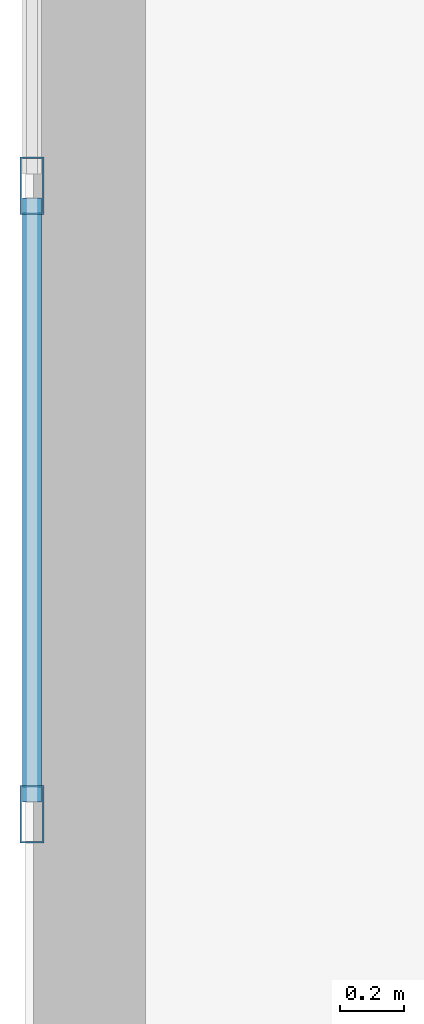
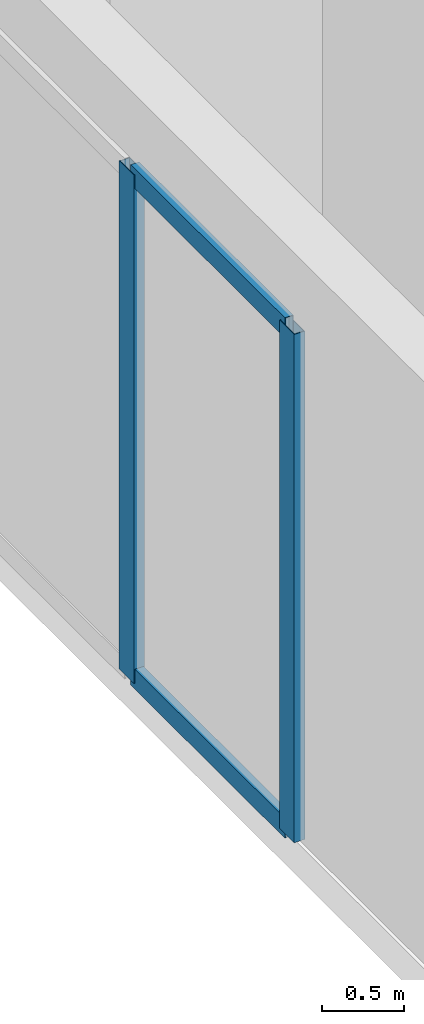
# One storey, part 4 of 14: 4 members, 1 element without a shape of its own.
"""IFC4 building model written with IfcOpenShell, lengths in metres."""

from ifc_helpers import new_model, si_unit, direction, frame, origin, origin_2d, place, context, subcontext, project, spatial, hollow_rectangle, extrude, material, material_profile, profile_set, type_object, element, aggregate, save


model = new_model("IFC4")

# Units and contexts
model_context = context("Model", 3, precision=1e-05, world=origin(), true_north=direction((0.0, 1.0)))
body_context = subcontext(model_context, "Body", "Model", "MODEL_VIEW")
ifc_project = project(units=[si_unit("LENGTHUNIT", "METRE"), si_unit("AREAUNIT", "SQUARE_METRE"), si_unit("VOLUMEUNIT", "CUBIC_METRE"), si_unit("PLANEANGLEUNIT", "RADIAN"), si_unit("MASSUNIT", "GRAM", prefix="KILO")], contexts=[model_context])

# Site, building, storey
site_placement = place(None, origin())
site = spatial("IfcSite", under=ifc_project, at=site_placement, CompositionType="ELEMENT")
building_placement = place(site_placement, origin())
building = spatial("IfcBuilding", under=site, at=building_placement, Name="Kuzgunbayir Cultural Tower", CompositionType="ELEMENT")
storey_placement = place(building_placement, frame((0.0, 0.0, 13.0)))
storey = spatial("IfcBuildingStorey", under=building, at=storey_placement, Name="L03", CompositionType="ELEMENT", Elevation=13.0)

# Curtain wall, members
ifc_material = material(Name="Anodised Aluminium Framing", Category="aluminium")
curtain_wall_type = type_object("IfcCurtainWallType", Name="CW01-POD-FOYER", PredefinedType="NOTDEFINED", material=ifc_material)
curtain_wall_placement = place(storey_placement, origin())
curtain_wall = element("IfcCurtainWall", 1, at=curtain_wall_placement, inside=storey, type_object=curtain_wall_type, Name="L03 Civic Foyer Curtain Wall North", PredefinedType="NOTDEFINED")
ifc_material_profile_1 = material_profile(ifc_material, hollow_rectangle(XDim=0.074951171875, YDim=0.179931640625, WallThickness=0.0048828125, at=origin_2d()), Name="RHS 180x75x5")
ifc_profile_set_1 = profile_set([ifc_material_profile_1], Name="Anodised Aluminium Framing")
member_type_1 = type_object("IfcMemberType", Name="MEM-CW-MULLION-180", PredefinedType="MULLION", material=ifc_profile_set_1)
member_1_placement = place(storey_placement, frame((3.6201171875, 24.03759765625, 0.0), z_axis=(0.0, 0.0, 1.0), x_axis=(-1.0, 0.0, 0.0)))
member_1 = element("IfcMember", 2, at=member_1_placement, type_object=member_type_1, Name="CW01 mullion 1", PredefinedType="MULLION", context=body_context, shape_type="SweptSolid", body=[
    extrude(hollow_rectangle(XDim=0.074951171875, YDim=0.179931640625, WallThickness=0.0048828125, at=origin_2d()), origin(), (0.0, 0.0, 1.0), 3.800048828125),
])
member_2_placement = place(storey_placement, frame((3.6201171875, 26.0, 0.0), z_axis=(0.0, 0.0, 1.0), x_axis=(-1.0, 0.0, 0.0)))
member_2 = element("IfcMember", 3, at=member_2_placement, type_object=member_type_1, Name="CW01 mullion 2", PredefinedType="MULLION", context=body_context, shape_type="SweptSolid", body=[
    extrude(hollow_rectangle(XDim=0.074951171875, YDim=0.179931640625, WallThickness=0.0048828125, at=origin_2d()), origin(), (0.0, 0.0, 1.0), 3.800048828125),
])
ifc_material_profile_2 = material_profile(ifc_material, hollow_rectangle(XDim=0.06005859375, YDim=0.14990234375, WallThickness=0.00390625, at=origin_2d()), Name="RHS 150x60x4")
ifc_profile_set_2 = profile_set([ifc_material_profile_2], Name="Anodised Aluminium Framing")
member_type_2 = type_object("IfcMemberType", Name="MEM-CW-TRANSOM-150", PredefinedType="USERDEFINED", material=ifc_profile_set_2)
member_3_placement = place(storey_placement, frame((3.6201171875, 24.074951171875, 0.030029296875), z_axis=(0.0, 1.0, 0.0), x_axis=(-1.0, 0.0, 0.0)))
member_3 = element("IfcMember", 4, at=member_3_placement, type_object=member_type_2, Name="CW01 transom 1.1", ObjectType="TRANSOM", PredefinedType="USERDEFINED", context=body_context, shape_type="SweptSolid", body=[
    extrude(hollow_rectangle(XDim=0.06005859375, YDim=0.14990234375, WallThickness=0.00390625, at=origin_2d()), origin(), (0.0, 0.0, 1.0), 1.887451171875),
])
member_4_placement = place(storey_placement, frame((3.6201171875, 24.074951171875, 3.77001953125), z_axis=(0.0, 1.0, 0.0), x_axis=(-1.0, 0.0, 0.0)))
member_4 = element("IfcMember", 5, at=member_4_placement, type_object=member_type_2, Name="CW01 transom 1.2", ObjectType="TRANSOM", PredefinedType="USERDEFINED", context=body_context, shape_type="SweptSolid", body=[
    extrude(hollow_rectangle(XDim=0.06005859375, YDim=0.14990234375, WallThickness=0.00390625, at=origin_2d()), origin(), (0.0, 0.0, 1.0), 1.887451171875),
])
aggregate(curtain_wall, [member_1, member_2, member_3, member_4])

save(model, "model.ifc")
